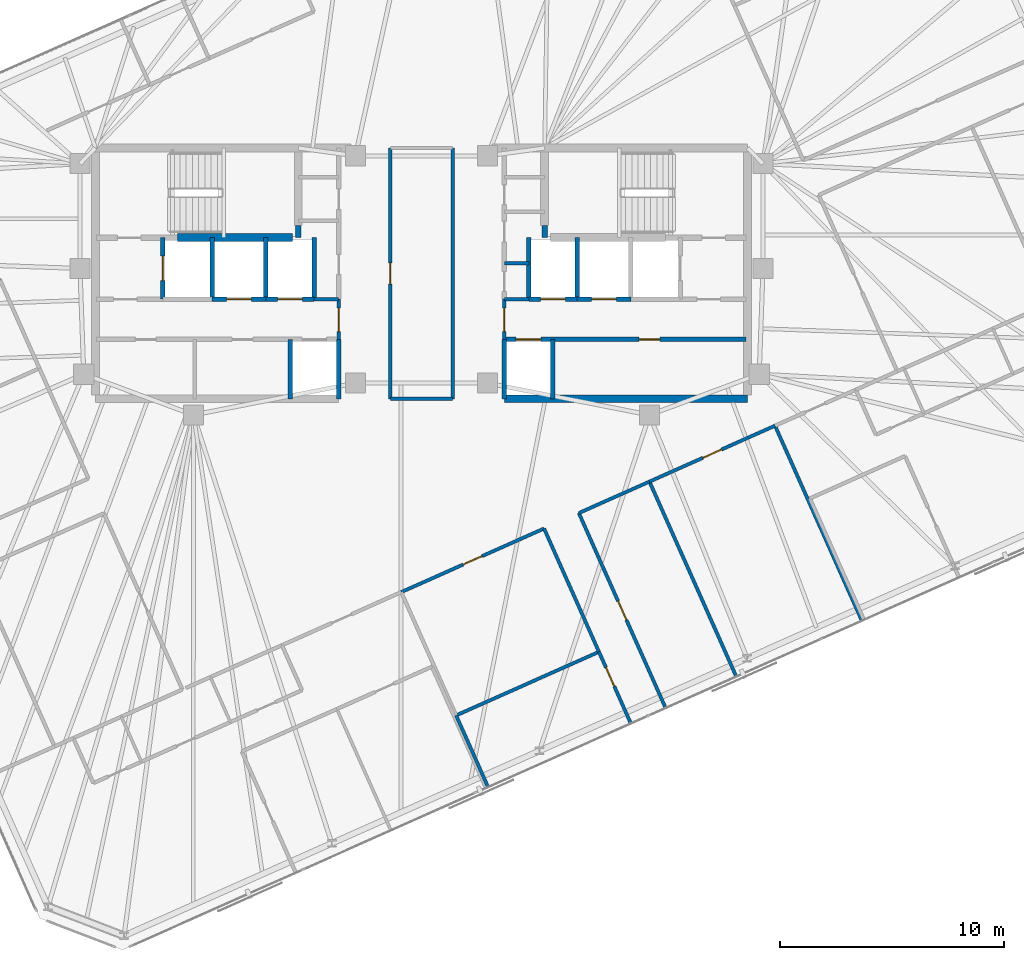
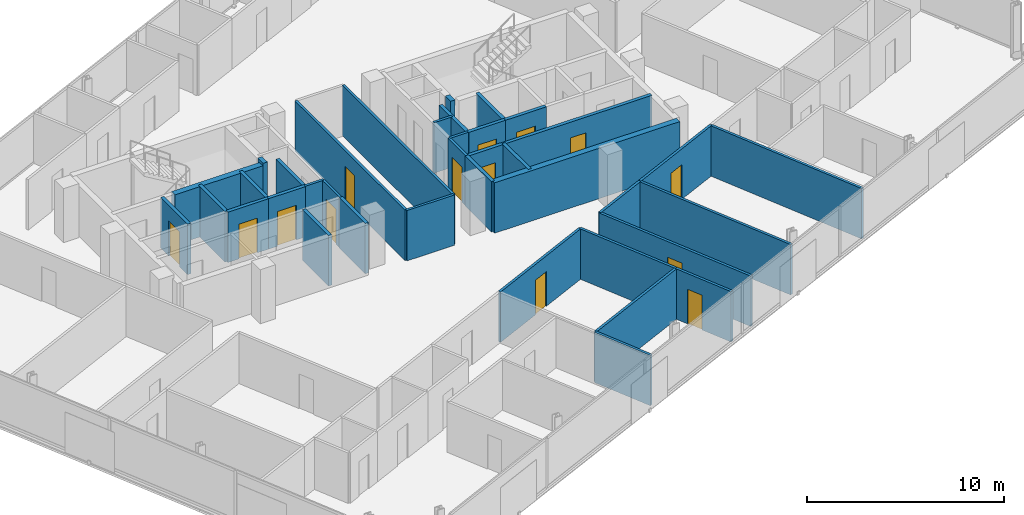
# One storey, part 14 of 18: 37 walls, 14 doors, 14 openings.
"""IFC4 building model written with IfcOpenShell, lengths in metres."""

from ifc_helpers import new_model, si_unit, direction, frame, frame_2d, origin, place, context, subcontext, project, spatial, rectangle, extrude, material, layer, layer_set, type_object, element, fill, save


model = new_model("IFC4")

# Units and contexts
model_context = context("Model", 3, precision=1e-05, world=origin(), true_north=direction((0.0, 1.0)))
body_context = subcontext(model_context, "Body", "Model", "MODEL_VIEW")
ifc_project = project(units=[si_unit("LENGTHUNIT", "METRE"), si_unit("AREAUNIT", "SQUARE_METRE"), si_unit("VOLUMEUNIT", "CUBIC_METRE"), si_unit("PLANEANGLEUNIT", "RADIAN"), si_unit("MASSUNIT", "GRAM", prefix="KILO")], contexts=[model_context])

# Site, building, storey
site_placement = place(None, origin())
site = spatial("IfcSite", under=ifc_project, at=site_placement, CompositionType="ELEMENT")
building_placement = place(site_placement, origin())
building = spatial("IfcBuilding", under=site, at=building_placement, Name="Menara Jurai Vektor", CompositionType="ELEMENT")
storey_placement = place(building_placement, frame((0.0, 0.0, 298.64990234375)))
storey = spatial("IfcBuildingStorey", under=building, at=storey_placement, Name="L80", CompositionType="ELEMENT", Elevation=298.64990234375)

# Wall
ifc_material_1 = material(Name="Concrete C40/50", Category="concrete")
ifc_layer_1 = layer(ifc_material_1, 0.25)
ifc_layer_set_1 = layer_set([ifc_layer_1], Name="Concrete C40/50")
wall_type_1 = type_object("IfcWallType", Name="INT-WALL-CORE-250", PredefinedType="STANDARD", material=ifc_layer_set_1)
wall_1_placement = place(storey_placement, frame((-5.5, 1.60009765625, 0.0), z_axis=(0.0, 0.0, 1.0), x_axis=(0.0, 1.0, 0.0)))
element("IfcWall", 1, at=wall_1_placement, inside=storey, type_object=wall_type_1, Name="Interior Wall IW-250 L80", PredefinedType="STANDARD", context=body_context, shape_type="SweptSolid", body=[
    extrude(rectangle(XDim=0.5498046875, YDim=0.25, at=frame_2d((0.27490234375, 0.0))), origin(), (0.0, 0.0, 1.0), 3.125),
])

# Wall, opening, door
wall_2_placement = place(storey_placement, frame((-11.550048828125, -1.14990234375, 0.0), z_axis=(0.0, 0.0, 1.0), x_axis=(0.0, 1.0, 0.0)))
wall_2 = element("IfcWall", 2, at=wall_2_placement, inside=storey, type_object=wall_type_1, Name="Interior Wall IW-250 L80", PredefinedType="STANDARD", context=body_context, shape_type="SweptSolid", body=[
    extrude(rectangle(XDim=2.75, YDim=0.199951171875, at=frame_2d((1.375, 0.0))), origin(), (0.0, 0.0, 1.0), 3.125),
])
opening_1_placement = place(wall_2_placement, frame((0.824951171875, 0.0, 0.0)))
opening_1 = element("IfcOpeningElement", 3, at=opening_1_placement, cuts=wall_2, Name="Opening LD-L80-FL1", PredefinedType="OPENING", context=body_context, shape_type="SweptSolid", body=[
    extrude(rectangle(XDim=1.10009765625, YDim=2.14990234375, at=frame_2d((0.550048828125, 1.074951171875))), frame((0.0, 0.10986328125, 0.0), z_axis=(0.0, -1.0, 0.0), x_axis=(1.0, 0.0, 0.0)), (0.0, 0.0, 1.0), 0.219970703125),
])
ifc_material_2 = material(Name="Stainless Steel Sliding Lift Landing Door", Category="steel")
door_type_1 = type_object("IfcDoorType", Name="DR-LIFT-FIRE-1100", OperationType="NOTDEFINED", PredefinedType="DOOR", material=ifc_material_2)
door_1_placement = place(opening_1_placement, origin())
door_1 = element("IfcDoor", 4, at=door_1_placement, inside=storey, type_object=door_type_1, Name="Lift Landing Door FL1 L80", OperationType="SLIDING_TO_RIGHT", OverallHeight=2.14990234375, OverallWidth=1.10009765625, PredefinedType="DOOR", context=body_context, shape_type="SweptSolid", body=[
    extrude(rectangle(XDim=1.10009765625, YDim=2.14990234375, at=frame_2d((0.550048828125, 1.074951171875))), frame((0.0, 0.02490234375, 0.0), z_axis=(0.0, -1.0, 0.0), x_axis=(1.0, 0.0, 0.0)), (0.0, 0.0, 1.0), 0.050048828125),
])
fill(opening_1, door_1)

# Walls
wall_3_placement = place(storey_placement, frame((-9.35009765625, -1.14990234375, 0.0), z_axis=(0.0, 0.0, 1.0), x_axis=(0.0, 1.0, 0.0)))
element("IfcWall", 5, at=wall_3_placement, inside=storey, type_object=wall_type_1, Name="Interior Wall IW-250 L80", PredefinedType="STANDARD", context=body_context, shape_type="SweptSolid", body=[
    extrude(rectangle(XDim=2.75, YDim=0.199951171875, at=frame_2d((1.375, 0.0))), origin(), (0.0, 0.0, 1.0), 3.125),
])
wall_4_placement = place(storey_placement, frame((5.5, 1.60009765625, 0.0), z_axis=(0.0, 0.0, 1.0), x_axis=(0.0, 1.0, 0.0)))
element("IfcWall", 6, at=wall_4_placement, inside=storey, type_object=wall_type_1, Name="Interior Wall IW-250 L80", PredefinedType="STANDARD", context=body_context, shape_type="SweptSolid", body=[
    extrude(rectangle(XDim=0.5498046875, YDim=0.25, at=frame_2d((0.27490234375, 0.0))), origin(), (0.0, 0.0, 1.0), 3.125),
])

# Wall, opening, door
ifc_material_3 = material(Name="Gypsum Fireboard Partition", Category="gypsum")
ifc_layer_2 = layer(ifc_material_3, 0.14990234375)
ifc_layer_set_2 = layer_set([ifc_layer_2], Name="Gypsum Fireboard Partition")
wall_type_2 = type_object("IfcWallType", Name="INT-WALL-CORR-150", PredefinedType="PARTITIONING", material=ifc_layer_set_2)
wall_5_placement = place(storey_placement, frame((-3.699951171875, -2.949951171875, 0.0), z_axis=(0.0, 0.0, 1.0), x_axis=(0.0, 1.0, 0.0)))
wall_5 = element("IfcWall", 7, at=wall_5_placement, inside=storey, type_object=wall_type_2, Name="Interior Wall IW-150 L80", PredefinedType="PARTITIONING", context=body_context, shape_type="SweptSolid", body=[
    extrude(rectangle(XDim=1.800048828125, YDim=0.14990234375, at=frame_2d((0.89990234375, 0.0))), origin(), (0.0, 0.0, 1.0), 3.125),
])
opening_2_placement = place(wall_5_placement, frame((0.35009765625, 0.0, 0.0)))
opening_2 = element("IfcOpeningElement", 8, at=opening_2_placement, cuts=wall_5, Name="Opening D-L80-LLW", PredefinedType="OPENING", context=body_context, shape_type="SweptSolid", body=[
    extrude(rectangle(XDim=1.050048828125, YDim=2.179931640625, at=frame_2d((0.52490234375, 1.08984375))), frame((0.0, 0.0849609375, 0.0), z_axis=(0.0, -1.0, 0.0), x_axis=(1.0, 0.0, 0.0)), (0.0, 0.0, 1.0), 0.169921875),
])
ifc_material_4 = material(Name="Fire-Rated Timber Door", Category="wood")
door_type_2 = type_object("IfcDoorType", Name="DR-LOBBY-1050", OperationType="NOTDEFINED", PredefinedType="DOOR", material=ifc_material_4)
door_2_placement = place(opening_2_placement, origin())
door_2 = element("IfcDoor", 9, at=door_2_placement, inside=storey, type_object=door_type_2, Name="Lift Lobby Corridor Door W L80", OperationType="SINGLE_SWING_LEFT", OverallHeight=2.179931640625, OverallWidth=1.050048828125, PredefinedType="DOOR", context=body_context, shape_type="SweptSolid", body=[
    extrude(rectangle(XDim=1.050048828125, YDim=2.179931640625, at=frame_2d((0.52490234375, 1.08984375))), frame((0.0, 0.02490234375, 0.0), z_axis=(0.0, -1.0, 0.0), x_axis=(1.0, 0.0, 0.0)), (0.0, 0.0, 1.0), 0.050048828125),
])
fill(opening_2, door_2)

# Wall
wall_6_placement = place(storey_placement, frame((-4.7900390625, -1.14990234375, 0.0), z_axis=(0.0, 0.0, 1.0), x_axis=(1.0, 0.0, 0.0)))
element("IfcWall", 10, at=wall_6_placement, inside=storey, type_object=wall_type_2, Name="Interior Wall IW-150 L80", PredefinedType="PARTITIONING", context=body_context, shape_type="SweptSolid", body=[
    extrude(rectangle(XDim=1.090087890625, YDim=0.14990234375, at=frame_2d((0.544921875, 0.0))), origin(), (0.0, 0.0, 1.0), 3.125),
])

# Wall, opening, door
wall_7_placement = place(storey_placement, frame((3.699951171875, -2.949951171875, 0.0), z_axis=(0.0, 0.0, 1.0), x_axis=(0.0, 1.0, 0.0)))
wall_7 = element("IfcWall", 11, at=wall_7_placement, inside=storey, type_object=wall_type_2, Name="Interior Wall IW-150 L80", PredefinedType="PARTITIONING", context=body_context, shape_type="SweptSolid", body=[
    extrude(rectangle(XDim=1.800048828125, YDim=0.14990234375, at=frame_2d((0.89990234375, 0.0))), origin(), (0.0, 0.0, 1.0), 3.125),
])
opening_3_placement = place(wall_7_placement, frame((0.35009765625, 0.0, 0.0)))
opening_3 = element("IfcOpeningElement", 12, at=opening_3_placement, cuts=wall_7, Name="Opening D-L80-LLE", PredefinedType="OPENING", context=body_context, shape_type="SweptSolid", body=[
    extrude(rectangle(XDim=1.050048828125, YDim=2.179931640625, at=frame_2d((0.52490234375, 1.08984375))), frame((0.0, 0.0849609375, 0.0), z_axis=(0.0, -1.0, 0.0), x_axis=(1.0, 0.0, 0.0)), (0.0, 0.0, 1.0), 0.169921875),
])
door_3_placement = place(opening_3_placement, frame((1.050048828125, 0.0, 0.0), z_axis=(0.0, 0.0, 1.0), x_axis=(-1.0, 0.0, 0.0)))
door_3 = element("IfcDoor", 13, at=door_3_placement, inside=storey, type_object=door_type_2, Name="Lift Lobby Corridor Door E L80", OperationType="SINGLE_SWING_RIGHT", OverallHeight=2.179931640625, OverallWidth=1.050048828125, PredefinedType="DOOR", context=body_context, shape_type="SweptSolid", body=[
    extrude(rectangle(XDim=1.050048828125, YDim=2.179931640625, at=frame_2d((0.52490234375, 1.08984375))), frame((0.0, 0.02490234375, 0.0), z_axis=(0.0, -1.0, 0.0), x_axis=(1.0, 0.0, 0.0)), (0.0, 0.0, 1.0), 0.050048828125),
])
fill(opening_3, door_3)

# Walls
for number, where, z_axis, x_axis, name in (
    (14, (3.699951171875, -1.14990234375, 0.0), (0.0, 0.0, 1.0), (1.0, 0.0, 0.0), "Interior Wall IW-150 L80"),
    (15, (3.699951171875, 0.449951171875, 0.0), (0.0, 0.0, 1.0), (1.0, 0.0, 0.0), "Interior Wall IW-150 L80"),
):
    element("IfcWall", number, at=place(storey_placement, frame(where, z_axis=z_axis, x_axis=x_axis)), inside=storey, type_object=wall_type_2, Name=name, PredefinedType="PARTITIONING", context=body_context, shape_type="SweptSolid", body=[
        extrude(rectangle(XDim=1.090087890625, YDim=0.14990234375, at=frame_2d((0.544921875, 0.0))), origin(), (0.0, 0.0, 1.0), 3.125),
    ])
wall_8_placement = place(storey_placement, frame((-1.389892578125, -5.60009765625, 0.0), z_axis=(0.0, 0.0, 1.0), x_axis=(0.999999996145, -8.7811731e-05, 0.0)))
element("IfcWall", 16, at=wall_8_placement, inside=storey, type_object=wall_type_2, Name="Interior Wall IW-150 L80", PredefinedType="PARTITIONING", context=body_context, shape_type="SweptSolid", body=[
    extrude(rectangle(XDim=2.7802734375, YDim=0.14990234375, at=frame_2d((1.39013671875, 0.0))), origin(), (0.0, 0.0, 1.0), 3.125),
])

# Wall, opening, door
wall_9_placement = place(storey_placement, frame((-1.389892578125, -5.60009765625, 0.0), z_axis=(0.0, 0.0, 1.0), x_axis=(2.1797415e-05, 0.999999999762, 0.0)))
wall_9 = element("IfcWall", 17, at=wall_9_placement, inside=storey, type_object=wall_type_2, Name="Interior Wall IW-150 L80", PredefinedType="PARTITIONING", context=body_context, shape_type="SweptSolid", body=[
    extrude(rectangle(XDim=11.200439453125, YDim=0.14990234375, at=frame_2d((5.60009765625, 0.0))), origin(), (0.0, 0.0, 1.0), 3.125),
])
opening_4_placement = place(wall_9_placement, frame((5.125244140625, 0.0, 0.0)))
opening_4 = element("IfcOpeningElement", 18, at=opening_4_placement, cuts=wall_9, Name="Opening D80-09", PredefinedType="OPENING", context=body_context, shape_type="SweptSolid", body=[
    extrude(rectangle(XDim=0.949951171875, YDim=2.14990234375, at=frame_2d((0.47509765625, 1.074951171875))), frame((0.0, 0.0849609375, 0.0), z_axis=(0.0, -1.0, 0.0), x_axis=(1.0, 0.0, 0.0)), (0.0, 0.0, 1.0), 0.169921875),
])
ifc_material_5 = material(Name="Solid Core Timber Fire Door", Category="wood")
door_type_3 = type_object("IfcDoorType", Name="DR-ENTRY-950", OperationType="NOTDEFINED", PredefinedType="DOOR", material=ifc_material_5)
door_4_placement = place(opening_4_placement, origin())
door_4 = element("IfcDoor", 19, at=door_4_placement, inside=storey, type_object=door_type_3, Name="Interior Door D80-09", OperationType="SINGLE_SWING_LEFT", OverallHeight=2.14990234375, OverallWidth=0.949951171875, PredefinedType="DOOR", context=body_context, shape_type="SweptSolid", body=[
    extrude(rectangle(XDim=0.949951171875, YDim=2.14990234375, at=frame_2d((0.47509765625, 1.074951171875))), frame((0.0, 0.02490234375, 0.0), z_axis=(0.0, -1.0, 0.0), x_axis=(1.0, 0.0, 0.0)), (0.0, 0.0, 1.0), 0.050048828125),
])
fill(opening_4, door_4)

# Wall
wall_10_placement = place(storey_placement, frame((1.390380859375, -5.600341796875, 0.0), z_axis=(0.0, 0.0, 1.0), x_axis=(-4.359578e-05, 0.99999999905, 0.0)))
element("IfcWall", 20, at=wall_10_placement, inside=storey, type_object=wall_type_2, Name="Interior Wall IW-150 L80", PredefinedType="PARTITIONING", context=body_context, shape_type="SweptSolid", body=[
    extrude(rectangle(XDim=11.2001953125, YDim=0.14990234375, at=frame_2d((5.60009765625, 0.0))), origin(), (0.0, 0.0, 1.0), 3.125),
])

# Wall, opening, door
wall_11_placement = place(storey_placement, frame((9.3515625, -20.10302734375, 0.0), z_axis=(0.0, 0.0, 1.0), x_axis=(-0.406745199814, 0.913541647889, 0.0)))
wall_11 = element("IfcWall", 21, at=wall_11_placement, inside=storey, type_object=wall_type_2, Name="Interior Wall IW-150 L80", PredefinedType="PARTITIONING", context=body_context, shape_type="SweptSolid", body=[
    extrude(rectangle(XDim=3.509033203125, YDim=0.14990234375, at=frame_2d((1.75439453125, 0.0))), origin(), (0.0, 0.0, 1.0), 3.125),
])
opening_5_placement = place(wall_11_placement, frame((1.82080078125, 0.0, 0.0)))
opening_5 = element("IfcOpeningElement", 22, at=opening_5_placement, cuts=wall_11, Name="Opening D80-31", PredefinedType="OPENING", context=body_context, shape_type="SweptSolid", body=[
    extrude(rectangle(XDim=0.919921875, YDim=2.14990234375, at=frame_2d((0.4599609375, 1.074951171875))), frame((0.0, 0.0849609375, 0.0), z_axis=(0.0, -1.0, 0.0), x_axis=(1.0, 0.0, 0.0)), (0.0, 0.0, 1.0), 0.169921875),
])
door_5_placement = place(opening_5_placement, origin())
door_5 = element("IfcDoor", 23, at=door_5_placement, inside=storey, type_object=door_type_3, Name="Interior Door D80-31", OperationType="SINGLE_SWING_LEFT", OverallHeight=2.14990234375, OverallWidth=0.919921875, PredefinedType="DOOR", context=body_context, shape_type="SweptSolid", body=[
    extrude(rectangle(XDim=0.919921875, YDim=2.14990234375, at=frame_2d((0.4599609375, 1.074951171875))), frame((0.0, 0.02490234375, 0.0), z_axis=(0.0, -1.0, 0.0), x_axis=(1.0, 0.0, 0.0)), (0.0, 0.0, 1.0), 0.050048828125),
])
fill(opening_5, door_5)

wall_12_placement = place(storey_placement, frame((-0.9033203125, -14.2314453125, 0.0), z_axis=(0.0, 0.0, 1.0), x_axis=(0.913538735702, 0.406751740466, 0.0)))
wall_12 = element("IfcWall", 24, at=wall_12_placement, inside=storey, type_object=wall_type_2, Name="Interior Wall IW-150 L80", PredefinedType="PARTITIONING", context=body_context, shape_type="SweptSolid", body=[
    extrude(rectangle(XDim=6.97998046875, YDim=0.14990234375, at=frame_2d((3.489990234375, 0.0))), origin(), (0.0, 0.0, 1.0), 3.125),
])
opening_6_placement = place(wall_12_placement, frame((3.030029296875, 0.0, 0.0)))
opening_6 = element("IfcOpeningElement", 25, at=opening_6_placement, cuts=wall_12, Name="Opening D80-32", PredefinedType="OPENING", context=body_context, shape_type="SweptSolid", body=[
    extrude(rectangle(XDim=0.919921875, YDim=2.14990234375, at=frame_2d((0.4599609375, 1.074951171875))), frame((0.0, 0.0849609375, 0.0), z_axis=(0.0, -1.0, 0.0), x_axis=(1.0, 0.0, 0.0)), (0.0, 0.0, 1.0), 0.169921875),
])
door_6_placement = place(opening_6_placement, origin())
door_6 = element("IfcDoor", 26, at=door_6_placement, inside=storey, type_object=door_type_3, Name="Interior Door D80-32", OperationType="SINGLE_SWING_RIGHT", OverallHeight=2.14990234375, OverallWidth=0.919921875, PredefinedType="DOOR", context=body_context, shape_type="SweptSolid", body=[
    extrude(rectangle(XDim=0.919921875, YDim=2.14990234375, at=frame_2d((0.4599609375, 1.074951171875))), frame((0.0, 0.02490234375, 0.0), z_axis=(0.0, -1.0, 0.0), x_axis=(1.0, 0.0, 0.0)), (0.0, 0.0, 1.0), 0.050048828125),
])
fill(opening_6, door_6)

# Wall
wall_13_placement = place(storey_placement, frame((7.92431640625, -16.8974609375, 0.0), z_axis=(0.0, 0.0, 1.0), x_axis=(-0.406754846047, 0.91353735294, 0.0)))
element("IfcWall", 27, at=wall_13_placement, inside=storey, type_object=wall_type_2, Name="Interior Wall IW-150 L80", PredefinedType="PARTITIONING", context=body_context, shape_type="SweptSolid", body=[
    extrude(rectangle(XDim=6.026123046875, YDim=0.14990234375, at=frame_2d((3.01318359375, 0.0))), origin(), (0.0, 0.0, 1.0), 3.125),
])

# Wall, opening, door
wall_14_placement = place(storey_placement, frame((10.904541015625, -19.41162109375, 0.0), z_axis=(0.0, 0.0, 1.0), x_axis=(-0.406729927653, 0.913548447512, 0.0)))
wall_14 = element("IfcWall", 28, at=wall_14_placement, inside=storey, type_object=wall_type_2, Name="Interior Wall IW-150 L80", PredefinedType="PARTITIONING", context=body_context, shape_type="SweptSolid", body=[
    extrude(rectangle(XDim=9.534912109375, YDim=0.14990234375, at=frame_2d((4.767578125, 0.0))), origin(), (0.0, 0.0, 1.0), 3.125),
])
opening_7_placement = place(wall_14_placement, frame((4.3076171875, 0.0, 0.0)))
opening_7 = element("IfcOpeningElement", 29, at=opening_7_placement, cuts=wall_14, Name="Opening D80-33", PredefinedType="OPENING", context=body_context, shape_type="SweptSolid", body=[
    extrude(rectangle(XDim=0.919921875, YDim=2.14990234375, at=frame_2d((0.4599609375, 1.074951171875))), frame((0.0, 0.0849609375, 0.0), z_axis=(0.0, -1.0, 0.0), x_axis=(1.0, 0.0, 0.0)), (0.0, 0.0, 1.0), 0.169921875),
])
door_7_placement = place(opening_7_placement, origin())
door_7 = element("IfcDoor", 30, at=door_7_placement, inside=storey, type_object=door_type_3, Name="Interior Door D80-33", OperationType="SINGLE_SWING_LEFT", OverallHeight=2.14990234375, OverallWidth=0.919921875, PredefinedType="DOOR", context=body_context, shape_type="SweptSolid", body=[
    extrude(rectangle(XDim=0.919921875, YDim=2.14990234375, at=frame_2d((0.4599609375, 1.074951171875))), frame((0.0, 0.02490234375, 0.0), z_axis=(0.0, -1.0, 0.0), x_axis=(1.0, 0.0, 0.0)), (0.0, 0.0, 1.0), 0.050048828125),
])
fill(opening_7, door_7)

# Wall
wall_15_placement = place(storey_placement, frame((7.0263671875, -10.700927734375, 0.0), z_axis=(0.0, 0.0, 1.0), x_axis=(0.913534253733, 0.406761806536, 0.0)))
element("IfcWall", 31, at=wall_15_placement, inside=storey, type_object=wall_type_2, Name="Interior Wall IW-150 L80", PredefinedType="PARTITIONING", context=body_context, shape_type="SweptSolid", body=[
    extrude(rectangle(XDim=3.45166015625, YDim=0.14990234375, at=frame_2d((1.725830078125, 0.0))), origin(), (0.0, 0.0, 1.0), 3.125),
])

# Wall, opening, door
wall_16_placement = place(storey_placement, frame((10.1796875, -9.296875, 0.0), z_axis=(0.0, 0.0, 1.0), x_axis=(0.913545641557, 0.406736229997, 0.0)))
wall_16 = element("IfcWall", 32, at=wall_16_placement, inside=storey, type_object=wall_type_2, Name="Interior Wall IW-150 L80", PredefinedType="PARTITIONING", context=body_context, shape_type="SweptSolid", body=[
    extrude(rectangle(XDim=6.13818359375, YDim=0.14990234375, at=frame_2d((3.069091796875, 0.0))), origin(), (0.0, 0.0, 1.0), 3.125),
])
opening_8_placement = place(wall_16_placement, frame((2.60888671875, 0.0, 0.0)))
opening_8 = element("IfcOpeningElement", 33, at=opening_8_placement, cuts=wall_16, Name="Opening D80-34", PredefinedType="OPENING", context=body_context, shape_type="SweptSolid", body=[
    extrude(rectangle(XDim=0.919921875, YDim=2.14990234375, at=frame_2d((0.4599609375, 1.074951171875))), frame((0.0, 0.0849609375, 0.0), z_axis=(0.0, -1.0, 0.0), x_axis=(1.0, 0.0, 0.0)), (0.0, 0.0, 1.0), 0.169921875),
])
door_8_placement = place(opening_8_placement, origin())
door_8 = element("IfcDoor", 34, at=door_8_placement, inside=storey, type_object=door_type_3, Name="Interior Door D80-34", OperationType="SINGLE_SWING_RIGHT", OverallHeight=2.14990234375, OverallWidth=0.919921875, PredefinedType="DOOR", context=body_context, shape_type="SweptSolid", body=[
    extrude(rectangle(XDim=0.919921875, YDim=2.14990234375, at=frame_2d((0.4599609375, 1.074951171875))), frame((0.0, 0.02490234375, 0.0), z_axis=(0.0, -1.0, 0.0), x_axis=(1.0, 0.0, 0.0)), (0.0, 0.0, 1.0), 0.050048828125),
])
fill(opening_8, door_8)

# Walls
wall_17_placement = place(storey_placement, frame((2.974853515625, -22.942138671875, 0.0), z_axis=(0.0, 0.0, 1.0), x_axis=(-0.406745199814, 0.913541647889, 0.0)))
element("IfcWall", 35, at=wall_17_placement, inside=storey, type_object=wall_type_2, Name="Interior Wall IW-150 L80", PredefinedType="PARTITIONING", context=body_context, shape_type="SweptSolid", body=[
    extrude(rectangle(XDim=3.509033203125, YDim=0.14990234375, at=frame_2d((1.75439453125, 0.0))), origin(), (0.0, 0.0, 1.0), 3.125),
])
wall_18_placement = place(storey_placement, frame((19.665283203125, -15.510986328125, 0.0), z_axis=(0.0, 0.0, 1.0), x_axis=(-0.406729927653, 0.913548447512, 0.0)))
element("IfcWall", 36, at=wall_18_placement, inside=storey, type_object=wall_type_2, Name="Interior Wall IW-150 L80", PredefinedType="PARTITIONING", context=body_context, shape_type="SweptSolid", body=[
    extrude(rectangle(XDim=9.534912109375, YDim=0.14990234375, at=frame_2d((4.767578125, 0.0))), origin(), (0.0, 0.0, 1.0), 3.125),
])
wall_19_placement = place(storey_placement, frame((1.547607421875, -19.736572265625, 0.0), z_axis=(0.0, 0.0, 1.0), x_axis=(0.913544522324, 0.40673874383, 0.0)))
element("IfcWall", 37, at=wall_19_placement, inside=storey, type_object=wall_type_2, Name="Interior Wall IW-150 L80", PredefinedType="PARTITIONING", context=body_context, shape_type="SweptSolid", body=[
    extrude(rectangle(XDim=6.980224609375, YDim=0.14990234375, at=frame_2d((3.490234375, 0.0))), origin(), (0.0, 0.0, 1.0), 3.125),
])
wall_20_placement = place(storey_placement, frame((14.05810546875, -18.007568359375, 0.0), z_axis=(0.0, 0.0, 1.0), x_axis=(-0.406751296215, 0.913538933504, 0.0)))
element("IfcWall", 38, at=wall_20_placement, inside=storey, type_object=wall_type_2, Name="Interior Wall IW-150 L80", PredefinedType="PARTITIONING", context=body_context, shape_type="SweptSolid", body=[
    extrude(rectangle(XDim=9.53515625, YDim=0.14990234375, at=frame_2d((4.767578125, 0.0))), origin(), (0.0, 0.0, 1.0), 3.125),
])
ifc_layer_3 = layer(ifc_material_1, 0.199951171875)
ifc_layer_set_3 = layer_set([ifc_layer_3], Name="Concrete C40/50")
wall_type_3 = type_object("IfcWallType", Name="INT-WALL-SHAFT-200", PredefinedType="STANDARD", material=ifc_layer_set_3)
wall_21_placement = place(storey_placement, frame((-3.699951171875, -5.60009765625, 0.0), z_axis=(0.0, 0.0, 1.0), x_axis=(0.0, 1.0, 0.0)))
element("IfcWall", 39, at=wall_21_placement, inside=storey, type_object=wall_type_3, Name="Interior Wall IW-200 L80", PredefinedType="STANDARD", context=body_context, shape_type="SweptSolid", body=[
    extrude(rectangle(XDim=2.650146484375, YDim=0.199951171875, at=frame_2d((1.3251953125, 0.0))), origin(), (0.0, 0.0, 1.0), 3.125),
])
wall_22_placement = place(storey_placement, frame((-6.949951171875, -1.14990234375, 0.0), z_axis=(0.0, 0.0, 1.0), x_axis=(0.0, 1.0, 0.0)))
element("IfcWall", 40, at=wall_22_placement, inside=storey, type_object=wall_type_3, Name="Interior Wall IW-200 L80", PredefinedType="STANDARD", context=body_context, shape_type="SweptSolid", body=[
    extrude(rectangle(XDim=2.75, YDim=0.199951171875, at=frame_2d((1.375, 0.0))), origin(), (0.0, 0.0, 1.0), 3.125),
])

# Wall, opening, door
wall_23_placement = place(storey_placement, frame((-9.35009765625, -1.14990234375, 0.0), z_axis=(0.0, 0.0, 1.0), x_axis=(1.0, 0.0, 0.0)))
wall_23 = element("IfcWall", 41, at=wall_23_placement, inside=storey, type_object=wall_type_3, Name="Interior Wall IW-200 L80", PredefinedType="STANDARD", context=body_context, shape_type="SweptSolid", body=[
    extrude(rectangle(XDim=2.400146484375, YDim=0.199951171875, at=frame_2d((1.2001953125, 0.0))), origin(), (0.0, 0.0, 1.0), 3.125),
])
opening_9_placement = place(wall_23_placement, frame((0.64990234375, 0.0, 0.0)))
opening_9 = element("IfcOpeningElement", 42, at=opening_9_placement, cuts=wall_23, Name="Opening LD-L80-SVL1", PredefinedType="OPENING", context=body_context, shape_type="SweptSolid", body=[
    extrude(rectangle(XDim=1.10009765625, YDim=2.14990234375, at=frame_2d((0.550048828125, 1.074951171875))), frame((0.0, 0.10986328125, 0.0), z_axis=(0.0, -1.0, 0.0), x_axis=(1.0, 0.0, 0.0)), (0.0, 0.0, 1.0), 0.219970703125),
])
ifc_material_6 = material(Name="Anodised Stainless Sliding Lift Landing Door", Category="steel")
door_type_4 = type_object("IfcDoorType", Name="DR-LIFT-PASS-1100", OperationType="NOTDEFINED", PredefinedType="DOOR", material=ifc_material_6)
door_9_placement = place(opening_9_placement, origin())
door_9 = element("IfcDoor", 43, at=door_9_placement, inside=storey, type_object=door_type_4, Name="Lift Landing Door SVL1 L80", OperationType="SLIDING_TO_RIGHT", OverallHeight=2.14990234375, OverallWidth=1.10009765625, PredefinedType="DOOR", context=body_context, shape_type="SweptSolid", body=[
    extrude(rectangle(XDim=1.10009765625, YDim=2.14990234375, at=frame_2d((0.550048828125, 1.074951171875))), frame((0.0, 0.02490234375, 0.0), z_axis=(0.0, -1.0, 0.0), x_axis=(1.0, 0.0, 0.0)), (0.0, 0.0, 1.0), 0.050048828125),
])
fill(opening_9, door_9)

# Wall
wall_24_placement = place(storey_placement, frame((-4.7900390625, -1.14990234375, 0.0), z_axis=(0.0, 0.0, 1.0), x_axis=(0.0, 1.0, 0.0)))
element("IfcWall", 44, at=wall_24_placement, inside=storey, type_object=wall_type_3, Name="Interior Wall IW-200 L80", PredefinedType="STANDARD", context=body_context, shape_type="SweptSolid", body=[
    extrude(rectangle(XDim=2.75, YDim=0.199951171875, at=frame_2d((1.375, 0.0))), origin(), (0.0, 0.0, 1.0), 3.125),
])

# Wall, opening, door
wall_25_placement = place(storey_placement, frame((-6.949951171875, -1.14990234375, 0.0), z_axis=(0.0, 0.0, 1.0), x_axis=(1.0, 0.0, 0.0)))
wall_25 = element("IfcWall", 45, at=wall_25_placement, inside=storey, type_object=wall_type_3, Name="Interior Wall IW-200 L80", PredefinedType="STANDARD", context=body_context, shape_type="SweptSolid", body=[
    extrude(rectangle(XDim=2.159912109375, YDim=0.199951171875, at=frame_2d((1.080078125, 0.0))), origin(), (0.0, 0.0, 1.0), 3.125),
])
opening_10_placement = place(wall_25_placement, frame((0.530029296875, 0.0, 0.0)))
opening_10 = element("IfcOpeningElement", 46, at=opening_10_placement, cuts=wall_25, Name="Opening LD-L80-PH2", PredefinedType="OPENING", context=body_context, shape_type="SweptSolid", body=[
    extrude(rectangle(XDim=1.10009765625, YDim=2.14990234375, at=frame_2d((0.550048828125, 1.074951171875))), frame((0.0, 0.10986328125, 0.0), z_axis=(0.0, -1.0, 0.0), x_axis=(1.0, 0.0, 0.0)), (0.0, 0.0, 1.0), 0.219970703125),
])
door_10_placement = place(opening_10_placement, origin())
door_10 = element("IfcDoor", 47, at=door_10_placement, inside=storey, type_object=door_type_4, Name="Lift Landing Door PH2 L80", OperationType="SLIDING_TO_RIGHT", OverallHeight=2.14990234375, OverallWidth=1.10009765625, PredefinedType="DOOR", context=body_context, shape_type="SweptSolid", body=[
    extrude(rectangle(XDim=1.10009765625, YDim=2.14990234375, at=frame_2d((0.550048828125, 1.074951171875))), frame((0.0, 0.02490234375, 0.0), z_axis=(0.0, -1.0, 0.0), x_axis=(1.0, 0.0, 0.0)), (0.0, 0.0, 1.0), 0.050048828125),
])
fill(opening_10, door_10)

# Walls
for number, where, z_axis, x_axis, name in (
    (48, (-5.860107421875, -5.60009765625, 0.0), (0.0, 0.0, 1.0), (0.0, 1.0, 0.0), "Interior Wall IW-200 L80"),
    (49, (3.699951171875, -5.60009765625, 0.0), (0.0, 0.0, 1.0), (0.0, 1.0, 0.0), "Interior Wall IW-200 L80"),
):
    element("IfcWall", number, at=place(storey_placement, frame(where, z_axis=z_axis, x_axis=x_axis)), inside=storey, type_object=wall_type_3, Name=name, PredefinedType="STANDARD", context=body_context, shape_type="SweptSolid", body=[
        extrude(rectangle(XDim=2.650146484375, YDim=0.199951171875, at=frame_2d((1.3251953125, 0.0))), origin(), (0.0, 0.0, 1.0), 3.125),
    ])
wall_26_placement = place(storey_placement, frame((6.949951171875, -1.14990234375, 0.0), z_axis=(0.0, 0.0, 1.0), x_axis=(0.0, 1.0, 0.0)))
element("IfcWall", 50, at=wall_26_placement, inside=storey, type_object=wall_type_3, Name="Interior Wall IW-200 L80", PredefinedType="STANDARD", context=body_context, shape_type="SweptSolid", body=[
    extrude(rectangle(XDim=2.75, YDim=0.199951171875, at=frame_2d((1.375, 0.0))), origin(), (0.0, 0.0, 1.0), 3.125),
])

# Wall, opening, door
wall_27_placement = place(storey_placement, frame((6.949951171875, -1.14990234375, 0.0), z_axis=(0.0, 0.0, 1.0), x_axis=(1.0, 0.0, 0.0)))
wall_27 = element("IfcWall", 51, at=wall_27_placement, inside=storey, type_object=wall_type_3, Name="Interior Wall IW-200 L80", PredefinedType="STANDARD", context=body_context, shape_type="SweptSolid", body=[
    extrude(rectangle(XDim=2.400146484375, YDim=0.199951171875, at=frame_2d((1.2001953125, 0.0))), origin(), (0.0, 0.0, 1.0), 3.125),
])
opening_11_placement = place(wall_27_placement, frame((0.64990234375, 0.0, 0.0)))
opening_11 = element("IfcOpeningElement", 52, at=opening_11_placement, cuts=wall_27, Name="Opening LD-L80-SVL2", PredefinedType="OPENING", context=body_context, shape_type="SweptSolid", body=[
    extrude(rectangle(XDim=1.10009765625, YDim=2.14990234375, at=frame_2d((0.550048828125, 1.074951171875))), frame((0.0, 0.10986328125, 0.0), z_axis=(0.0, -1.0, 0.0), x_axis=(1.0, 0.0, 0.0)), (0.0, 0.0, 1.0), 0.219970703125),
])
door_11_placement = place(opening_11_placement, origin())
door_11 = element("IfcDoor", 53, at=door_11_placement, inside=storey, type_object=door_type_4, Name="Lift Landing Door SVL2 L80", OperationType="SLIDING_TO_RIGHT", OverallHeight=2.14990234375, OverallWidth=1.10009765625, PredefinedType="DOOR", context=body_context, shape_type="SweptSolid", body=[
    extrude(rectangle(XDim=1.10009765625, YDim=2.14990234375, at=frame_2d((0.550048828125, 1.074951171875))), frame((0.0, 0.02490234375, 0.0), z_axis=(0.0, -1.0, 0.0), x_axis=(1.0, 0.0, 0.0)), (0.0, 0.0, 1.0), 0.050048828125),
])
fill(opening_11, door_11)

# Wall
wall_28_placement = place(storey_placement, frame((4.7900390625, -1.14990234375, 0.0), z_axis=(0.0, 0.0, 1.0), x_axis=(0.0, 1.0, 0.0)))
element("IfcWall", 54, at=wall_28_placement, inside=storey, type_object=wall_type_3, Name="Interior Wall IW-200 L80", PredefinedType="STANDARD", context=body_context, shape_type="SweptSolid", body=[
    extrude(rectangle(XDim=2.75, YDim=0.199951171875, at=frame_2d((1.375, 0.0))), origin(), (0.0, 0.0, 1.0), 3.125),
])

# Wall, opening, door
wall_29_placement = place(storey_placement, frame((4.7900390625, -1.14990234375, 0.0), z_axis=(0.0, 0.0, 1.0), x_axis=(1.0, 0.0, 0.0)))
wall_29 = element("IfcWall", 55, at=wall_29_placement, inside=storey, type_object=wall_type_3, Name="Interior Wall IW-200 L80", PredefinedType="STANDARD", context=body_context, shape_type="SweptSolid", body=[
    extrude(rectangle(XDim=2.159912109375, YDim=0.199951171875, at=frame_2d((1.080078125, 0.0))), origin(), (0.0, 0.0, 1.0), 3.125),
])
opening_12_placement = place(wall_29_placement, frame((0.530029296875, 0.0, 0.0)))
opening_12 = element("IfcOpeningElement", 56, at=opening_12_placement, cuts=wall_29, Name="Opening LD-L80-PH4", PredefinedType="OPENING", context=body_context, shape_type="SweptSolid", body=[
    extrude(rectangle(XDim=1.10009765625, YDim=2.14990234375, at=frame_2d((0.550048828125, 1.074951171875))), frame((0.0, 0.10986328125, 0.0), z_axis=(0.0, -1.0, 0.0), x_axis=(1.0, 0.0, 0.0)), (0.0, 0.0, 1.0), 0.219970703125),
])
door_12_placement = place(opening_12_placement, origin())
door_12 = element("IfcDoor", 57, at=door_12_placement, inside=storey, type_object=door_type_4, Name="Lift Landing Door PH4 L80", OperationType="SLIDING_TO_LEFT", OverallHeight=2.14990234375, OverallWidth=1.10009765625, PredefinedType="DOOR", context=body_context, shape_type="SweptSolid", body=[
    extrude(rectangle(XDim=1.10009765625, YDim=2.14990234375, at=frame_2d((0.550048828125, 1.074951171875))), frame((0.0, 0.02490234375, 0.0), z_axis=(0.0, -1.0, 0.0), x_axis=(1.0, 0.0, 0.0)), (0.0, 0.0, 1.0), 0.050048828125),
])
fill(opening_12, door_12)

# Wall, openings, doors
wall_30_placement = place(storey_placement, frame((3.699951171875, -2.949951171875, 0.0), z_axis=(0.0, 0.0, 1.0), x_axis=(1.0, 0.0, 0.0)))
wall_30 = element("IfcWall", 58, at=wall_30_placement, inside=storey, type_object=wall_type_3, Name="Interior Wall IW-200 L80", PredefinedType="STANDARD", context=body_context, shape_type="SweptSolid", body=[
    extrude(rectangle(XDim=10.800048828125, YDim=0.199951171875, at=frame_2d((5.39990234375, 0.0))), origin(), (0.0, 0.0, 1.0), 3.125),
])
opening_13_placement = place(wall_30_placement, frame((0.530029296875, 0.0, 0.0)))
opening_13 = element("IfcOpeningElement", 59, at=opening_13_placement, cuts=wall_30, Name="Opening LD-L80-PH3", PredefinedType="OPENING", context=body_context, shape_type="SweptSolid", body=[
    extrude(rectangle(XDim=1.10009765625, YDim=2.14990234375, at=frame_2d((0.550048828125, 1.074951171875))), frame((0.0, 0.10986328125, 0.0), z_axis=(0.0, -1.0, 0.0), x_axis=(1.0, 0.0, 0.0)), (0.0, 0.0, 1.0), 0.219970703125),
])
opening_14_placement = place(wall_30_placement, frame((6.02001953125, 0.0, 0.0)))
opening_14 = element("IfcOpeningElement", 60, at=opening_14_placement, cuts=wall_30, Name="Opening D80-05", PredefinedType="OPENING", context=body_context, shape_type="SweptSolid", body=[
    extrude(rectangle(XDim=0.919921875, YDim=2.14990234375, at=frame_2d((0.4599609375, 1.074951171875))), frame((0.0, 0.10986328125, 0.0), z_axis=(0.0, -1.0, 0.0), x_axis=(1.0, 0.0, 0.0)), (0.0, 0.0, 1.0), 0.219970703125),
])
door_13_placement = place(opening_14_placement, origin())
door_13 = element("IfcDoor", 61, at=door_13_placement, inside=storey, type_object=door_type_3, Name="Interior Door D80-05", OperationType="SINGLE_SWING_LEFT", OverallHeight=2.14990234375, OverallWidth=0.919921875, PredefinedType="DOOR", context=body_context, shape_type="SweptSolid", body=[
    extrude(rectangle(XDim=0.919921875, YDim=2.14990234375, at=frame_2d((0.4599609375, 1.074951171875))), frame((0.0, 0.02490234375, 0.0), z_axis=(0.0, -1.0, 0.0), x_axis=(1.0, 0.0, 0.0)), (0.0, 0.0, 1.0), 0.050048828125),
])
fill(opening_14, door_13)
door_14_placement = place(opening_13_placement, origin())
door_14 = element("IfcDoor", 62, at=door_14_placement, inside=storey, type_object=door_type_4, Name="Lift Landing Door PH3 L80", OperationType="SLIDING_TO_RIGHT", OverallHeight=2.14990234375, OverallWidth=1.10009765625, PredefinedType="DOOR", context=body_context, shape_type="SweptSolid", body=[
    extrude(rectangle(XDim=1.10009765625, YDim=2.14990234375, at=frame_2d((0.550048828125, 1.074951171875))), frame((0.0, 0.02490234375, 0.0), z_axis=(0.0, -1.0, 0.0), x_axis=(1.0, 0.0, 0.0)), (0.0, 0.0, 1.0), 0.050048828125),
])
fill(opening_13, door_14)

# Walls
wall_31_placement = place(storey_placement, frame((5.860107421875, -5.60009765625, 0.0), z_axis=(0.0, 0.0, 1.0), x_axis=(0.0, 1.0, 0.0)))
element("IfcWall", 63, at=wall_31_placement, inside=storey, type_object=wall_type_3, Name="Interior Wall IW-200 L80", PredefinedType="STANDARD", context=body_context, shape_type="SweptSolid", body=[
    extrude(rectangle(XDim=2.650146484375, YDim=0.199951171875, at=frame_2d((1.3251953125, 0.0))), origin(), (0.0, 0.0, 1.0), 3.125),
])
ifc_material_7 = material(Name="Concrete C50/60", Category="concrete")
ifc_layer_4 = layer(ifc_material_7, 0.35009765625)
ifc_layer_set_4 = layer_set([ifc_layer_4], Name="Concrete C50/60")
wall_type_4 = type_object("IfcWallType", Name="STR-WALL-CORE350", PredefinedType="SHEAR", material=ifc_layer_set_4)
wall_32_placement = place(storey_placement, frame((-10.89990234375, 1.60009765625, 0.0), z_axis=(0.0, 0.0, 1.0), x_axis=(1.0, 0.0, 0.0)))
element("IfcWall", 64, at=wall_32_placement, inside=storey, type_object=wall_type_4, Name="Core Shear Wall CW-W-STS L80", PredefinedType="SHEAR", context=body_context, shape_type="SweptSolid", body=[
    extrude(rectangle(XDim=5.14990234375, YDim=0.35009765625, at=frame_2d((2.574951171875, 0.0))), origin(), (0.0, 0.0, 1.0), 3.125),
])
wall_33_placement = place(storey_placement, frame((3.699951171875, -5.60009765625, 0.0), z_axis=(0.0, 0.0, 1.0), x_axis=(1.0, 0.0, 0.0)))
element("IfcWall", 65, at=wall_33_placement, inside=storey, type_object=wall_type_4, Name="Core Shear Wall CW-E-S L80", PredefinedType="SHEAR", context=body_context, shape_type="SweptSolid", body=[
    extrude(rectangle(XDim=10.860107421875, YDim=0.35009765625, at=frame_2d((5.43017578125, 0.0))), origin(), (0.0, 0.0, 1.0), 3.125),
])

save(model, "model.ifc")
